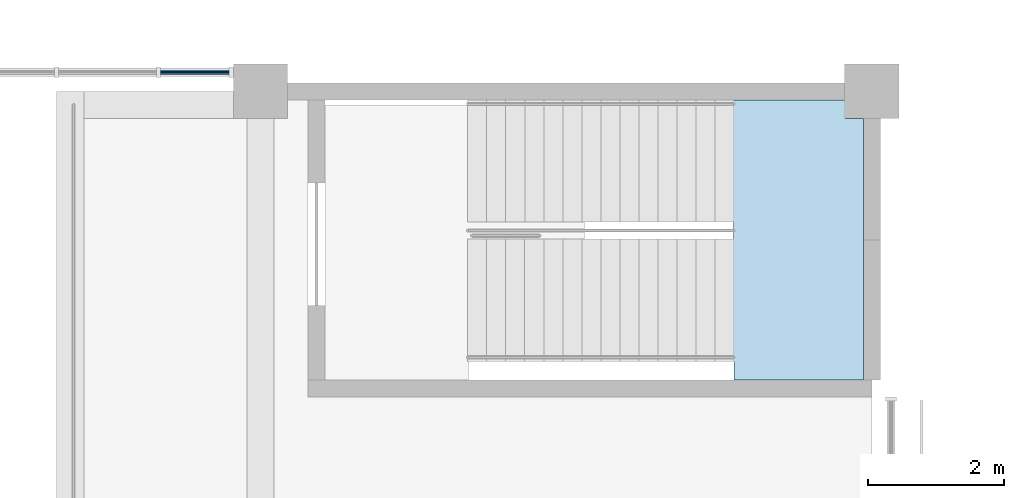
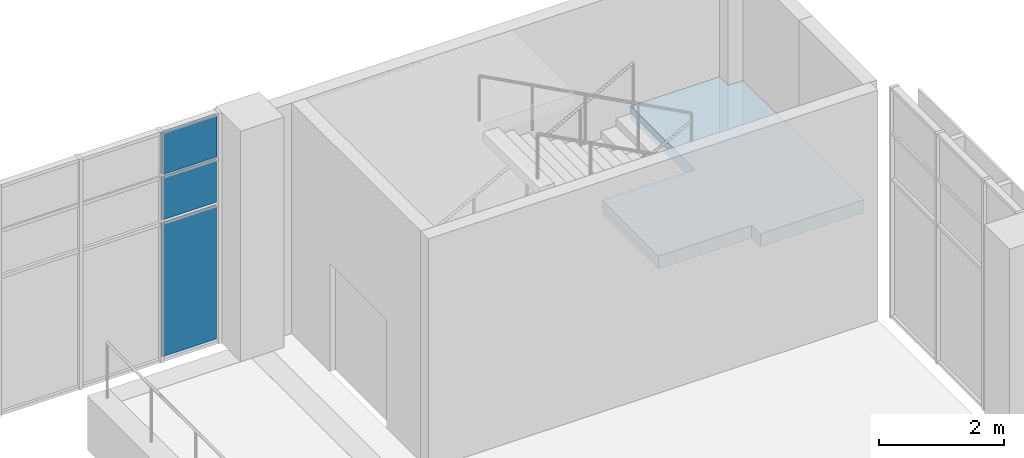
# One storey, part 50 of 88: 3 plates, 1 slab, 2 elements without a shape of their own.
"""IFC4 building model written with IfcOpenShell, lengths in metres."""

from ifc_helpers import new_model, si_unit, direction, frame, origin, origin_2d, place, context, subcontext, project, spatial, polyline, rectangle, outline, extrude, material, layer, layer_set, type_object, element, aggregate, save


model = new_model("IFC4")

# Units and contexts
model_context = context("Model", 3, precision=1e-05, world=origin(), true_north=direction((0.0, 1.0)))
body_context = subcontext(model_context, "Body", "Model", "MODEL_VIEW")
ifc_project = project(units=[si_unit("LENGTHUNIT", "METRE"), si_unit("AREAUNIT", "SQUARE_METRE"), si_unit("VOLUMEUNIT", "CUBIC_METRE"), si_unit("PLANEANGLEUNIT", "RADIAN"), si_unit("MASSUNIT", "GRAM", prefix="KILO")], contexts=[model_context])

# Site, building, storey
site_placement = place(None, origin())
site = spatial("IfcSite", under=ifc_project, at=site_placement, CompositionType="ELEMENT")
building_placement = place(site_placement, origin())
building = spatial("IfcBuilding", under=site, at=building_placement, Name="Guidao Yard Department Store", CompositionType="ELEMENT")
storey_placement = place(building_placement, frame((0.0, 0.0, 6.0)))
storey = spatial("IfcBuildingStorey", under=building, at=storey_placement, Name="L01", CompositionType="ELEMENT", Elevation=6.0)

# Curtain wall, plate
ifc_material_1 = material(Name="Aluminium and glass", Category="aluminium")
ifc_layer_1 = layer(ifc_material_1, 0.159912109375)
ifc_layer_set_1 = layer_set([ifc_layer_1], Name="Shopfront curtain wall CW1 1500 module")
curtain_wall_type = type_object("IfcCurtainWallType", Name="Shopfront curtain wall CW1 1500 module", PredefinedType="NOTDEFINED", material=ifc_layer_set_1)
curtain_wall_placement = place(storey_placement, origin())
curtain_wall = element("IfcCurtainWall", 1, at=curtain_wall_placement, inside=storey, type_object=curtain_wall_type, Name="Arcade gable glazing", PredefinedType="NOTDEFINED")
ifc_material_2 = material(Name="Aluminium 6063-T5 faced insulated spandrel", Category="aluminium")
ifc_layer_2 = layer(ifc_material_2, 0.06005859375)
ifc_layer_set_2 = layer_set([ifc_layer_2], Name="Spandrel panel SP1 insulated opaque")
plate_type_1 = type_object("IfcPlateType", Name="Spandrel panel SP1 insulated opaque", PredefinedType="CURTAIN_PANEL", material=ifc_layer_set_2)
plate_1_placement = place(storey_placement, frame((98.034912109375, 108.280029296875, 3.6298828125), z_axis=(0.0, 0.0, 1.0), x_axis=(1.0, 0.0, 0.0)))
plate_1 = element("IfcPlate", 2, at=plate_1_placement, type_object=plate_type_1, Name="CW-AG-L01-01 panel 12.3", PredefinedType="CURTAIN_PANEL", context=body_context, shape_type="SweptSolid", body=[
    extrude(rectangle(XDim=1.010009765625, YDim=0.06005859375, at=origin_2d()), origin(), (0.0, 0.0, 1.0), 0.81005859375),
])

# Stair, slab
ifc_material_3 = material(Name="Concrete C35", Category="concrete")
stair_type = type_object("IfcStairType", Name="Stair half-turn two-flight 1800 wide 4.5 m rise", PredefinedType="HALF_TURN_STAIR", material=ifc_material_3)
stair_placement = place(storey_placement, origin())
stair = element("IfcStair", 3, at=stair_placement, inside=storey, type_object=stair_type, Name="Stair G4 L01 to L02", PredefinedType="HALF_TURN_STAIR")
ifc_material_4 = material(Name="Concrete C35", Category="concrete")
ifc_layer_3 = layer(ifc_material_4, 0.25)
ifc_layer_set_3 = layer_set([ifc_layer_3], Name="Stair landing RC 250 C35")
slab_type = type_object("IfcSlabType", Name="Stair landing RC 250 C35", PredefinedType="LANDING", material=ifc_layer_set_3)
slab_placement = place(storey_placement, frame((0.0, 0.0, 2.0)))
slab = element("IfcSlab", 4, at=slab_placement, type_object=slab_type, Name="SG4-L01 landing 1", PredefinedType="LANDING", context=body_context, shape_type="SweptSolid", body=[
    extrude(outline(polyline([(104.251953125, 105.824951171875), (105.9599609375, 105.824951171875), (105.9599609375, 107.875), (105.969970703125, 107.875), (107.60009765625, 107.875), (107.60009765625, 107.60009765625), (107.875, 107.60009765625), (107.875, 103.75), (105.969970703125, 103.75), (105.969970703125, 104.02490234375), (104.251953125, 104.02490234375), (104.251953125, 105.824951171875)])), origin(), (0.0, 0.0, 1.0), 0.25),
])
aggregate(stair, [slab])

# Plate
ifc_material_5 = material(Name="Laminated heat-soaked tempered glass", Category="glass")
ifc_layer_4 = layer(ifc_material_5, 0.017578125)
ifc_layer_set_4 = layer_set([ifc_layer_4], Name="Vision glass VG1 laminated heat-soaked tempered 8+8")
plate_type_2 = type_object("IfcPlateType", Name="Vision glass VG1 laminated heat-soaked tempered 8+8", PredefinedType="CURTAIN_PANEL", material=ifc_layer_set_4)
plate_2_placement = place(storey_placement, frame((98.034912109375, 108.280029296875, 0.06005859375), z_axis=(0.0, 0.0, 1.0), x_axis=(1.0, 0.0, 0.0)))
plate_2 = element("IfcPlate", 5, at=plate_2_placement, type_object=plate_type_2, Name="CW-AG-L01-01 panel 12.1", PredefinedType="CURTAIN_PANEL", context=body_context, shape_type="SweptSolid", body=[
    extrude(rectangle(XDim=1.010009765625, YDim=0.017578125, at=origin_2d()), origin(), (0.0, 0.0, 1.0), 2.610107421875),
])

plate_3_placement = place(storey_placement, frame((98.034912109375, 108.280029296875, 2.72998046875), z_axis=(0.0, 0.0, 1.0), x_axis=(1.0, 0.0, 0.0)))
plate_3 = element("IfcPlate", 6, at=plate_3_placement, type_object=plate_type_2, Name="CW-AG-L01-01 panel 12.2", PredefinedType="CURTAIN_PANEL", context=body_context, shape_type="SweptSolid", body=[
    extrude(rectangle(XDim=1.010009765625, YDim=0.017578125, at=origin_2d()), origin(), (0.0, 0.0, 1.0), 0.840087890625),
])

aggregate(curtain_wall, [plate_2, plate_3, plate_1])

save(model, "model.ifc")
